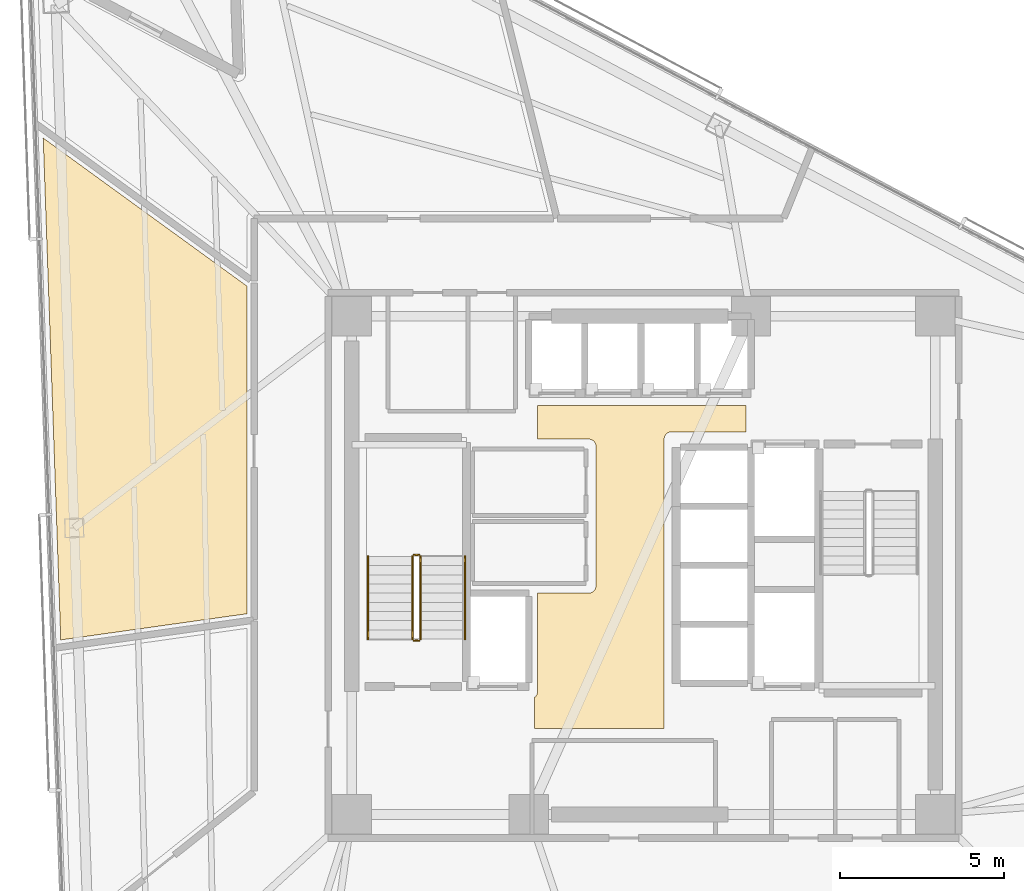
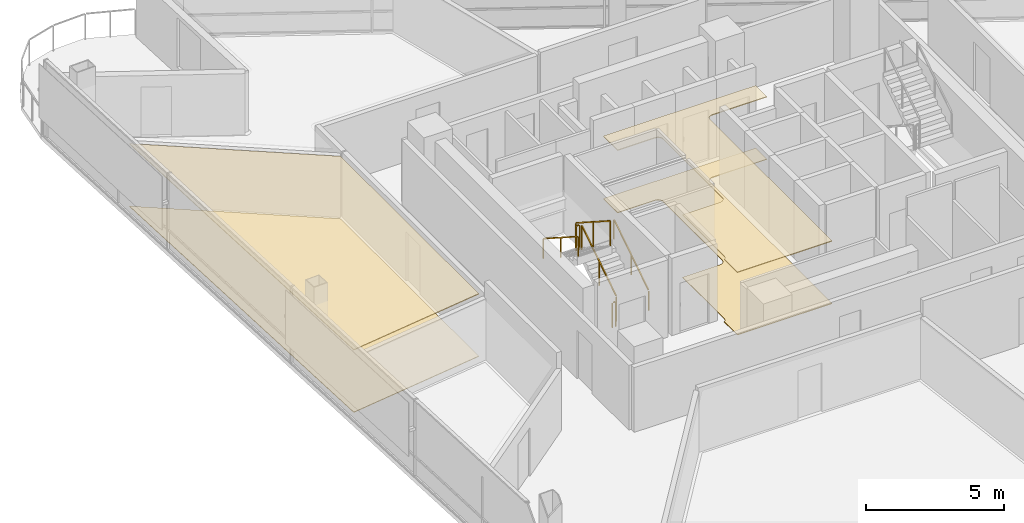
# One storey, part 18 of 20: 6 railings, 4 coverings.
"""IFC4 building model written with IfcOpenShell, lengths in metres."""

from ifc_helpers import new_model, si_unit, direction, frame, origin, origin_2d, place, context, subcontext, project, spatial, polyline, rectangle, outline, extrude, material, layer, layer_set, type_object, element, save


model = new_model("IFC4")

# Units and contexts
model_context = context("Model", 3, precision=1e-05, world=origin(), true_north=direction((0.0, 1.0)))
body_context = subcontext(model_context, "Body", "Model", "MODEL_VIEW")
ifc_project = project(units=[si_unit("LENGTHUNIT", "METRE"), si_unit("AREAUNIT", "SQUARE_METRE"), si_unit("VOLUMEUNIT", "CUBIC_METRE"), si_unit("PLANEANGLEUNIT", "RADIAN"), si_unit("MASSUNIT", "GRAM", prefix="KILO")], contexts=[model_context])

# Site, building, storey
site_placement = place(None, origin())
site = spatial("IfcSite", under=ifc_project, at=site_placement, CompositionType="ELEMENT")
building_placement = place(site_placement, origin())
building = spatial("IfcBuilding", under=site, at=building_placement, Name="Tharavind Bronze Gate", CompositionType="ELEMENT")
storey_placement = place(building_placement, frame((0.0, 0.0, 146.0)))
storey = spatial("IfcBuildingStorey", under=building, at=storey_placement, Name="L37", CompositionType="ELEMENT", Elevation=146.0)

# Coverings
ifc_material_1 = material(Name="Perforated Bronze Acoustic Panel", Category="bronze")
ifc_layer_1 = layer(ifc_material_1, 0.044921875)
ifc_layer_set_1 = layer_set([ifc_layer_1], Name="Perforated Bronze Acoustic Panel")
covering_type_1 = type_object("IfcCoveringType", Name="ACOUSTIC BRONZE BAFFLE CEILING", PredefinedType="CEILING", material=ifc_layer_set_1)
covering_1_placement = place(storey_placement, frame((0.0, 0.0, 2.75)))
element("IfcCovering", 1, at=covering_1_placement, inside=storey, type_object=covering_type_1, Name="L37-C-LL suspended ceiling", PredefinedType="CEILING", context=body_context, shape_type="SweptSolid", body=[
    extrude(outline(polyline([(-3.330078125, -4.97998046875), (0.6298828125, -4.97998046875), (0.6298828125, 3.85009765625), (0.631103515625, 3.87158203125), (0.63427734375, 3.892822265625), (0.639404296875, 3.913818359375), (0.646728515625, 3.93408203125), (0.656005859375, 3.95361328125), (0.6669921875, 3.97216796875), (0.679931640625, 3.989501953125), (0.6943359375, 4.005615234375), (0.71044921875, 4.02001953125), (0.727783203125, 4.032958984375), (0.746337890625, 4.0439453125), (0.765869140625, 4.05322265625), (0.7861328125, 4.060546875), (0.80712890625, 4.06591796875), (0.828369140625, 4.06884765625), (0.85009765625, 4.070068359375), (3.1298828125, 4.070068359375), (3.1298828125, 4.8798828125), (-3.22998046875, 4.8798828125), (-3.22998046875, 3.85009765625), (-1.669921875, 3.85009765625), (-1.6484375, 3.848876953125), (-1.627197265625, 3.845703125), (-1.606201171875, 3.840576171875), (-1.585693359375, 3.833251953125), (-1.56640625, 3.823974609375), (-1.5478515625, 3.81298828125), (-1.530517578125, 3.800048828125), (-1.514404296875, 3.78564453125), (-1.5, 3.76953125), (-1.487060546875, 3.752197265625), (-1.47607421875, 3.733642578125), (-1.466796875, 3.714111328125), (-1.45947265625, 3.69384765625), (-1.4541015625, 3.6728515625), (-1.451171875, 3.651611328125), (-1.449951171875, 3.6298828125), (-1.449951171875, 1.43994140625), (-1.450439453125, 1.429931640625), (-1.449951171875, 1.419921875), (-1.449951171875, -0.6298828125), (-1.451171875, -0.651611328125), (-1.4541015625, -0.6728515625), (-1.45947265625, -0.69384765625), (-1.466796875, -0.714111328125), (-1.47607421875, -0.733642578125), (-1.487060546875, -0.752197265625), (-1.5, -0.76953125), (-1.514404296875, -0.78564453125), (-1.530517578125, -0.800048828125), (-1.5478515625, -0.81298828125), (-1.56640625, -0.823974609375), (-1.585693359375, -0.833251953125), (-1.606201171875, -0.840576171875), (-1.627197265625, -0.845703125), (-1.6484375, -0.848876953125), (-1.669921875, -0.85009765625), (-3.22998046875, -0.85009765625), (-3.22998046875, -3.85009765625), (-3.231201171875, -3.87158203125), (-3.234130859375, -3.892822265625), (-3.239501953125, -3.913818359375), (-3.24658203125, -3.93408203125), (-3.256103515625, -3.95361328125), (-3.26708984375, -3.97216796875), (-3.27978515625, -3.989501953125), (-3.29443359375, -4.005615234375), (-3.310302734375, -4.02001953125), (-3.327880859375, -4.032958984375), (-3.330078125, -4.0341796875), (-3.330078125, -4.97998046875)])), origin(), (0.0, 0.0, 1.0), 0.034912109375),
])
ifc_material_2 = material(Name="Engineered Oak & Carpet Tile", Category="wood")
ifc_layer_2 = layer(ifc_material_2, 0.02490234375)
ifc_layer_set_2 = layer_set([ifc_layer_2], Name="Engineered Oak & Carpet Tile")
covering_type_2 = type_object("IfcCoveringType", Name="ENGINEERED TIMBER FLOORING", PredefinedType="FLOORING", material=ifc_layer_set_2)
covering_2_placement = place(storey_placement, origin())
element("IfcCovering", 2, at=covering_2_placement, inside=storey, type_object=covering_type_2, Name="L37-RM-03 floor finish", PredefinedType="FLOORING", context=body_context, shape_type="SweptSolid", body=[
    extrude(outline(polyline([(-17.77880859375, -2.276611328125), (-12.10009765625, -1.478515625), (-12.10009765625, 8.519287109375), (-18.3134765625, 13.03369140625), (-17.77880859375, -2.276611328125)])), origin(), (0.0, 0.0, 1.0), 0.02490234375),
])
ifc_material_3 = material(Name="Acoustic Gypsum Board", Category="gypsum")
ifc_layer_3 = layer(ifc_material_3, 0.030029296875)
ifc_layer_set_3 = layer_set([ifc_layer_3], Name="Acoustic Gypsum Board")
covering_type_3 = type_object("IfcCoveringType", Name="GYPSUM SUSPENDED CEILING", PredefinedType="CEILING", material=ifc_layer_set_3)
covering_3_placement = place(storey_placement, frame((0.0, 0.0, 2.75)))
element("IfcCovering", 3, at=covering_3_placement, inside=storey, type_object=covering_type_3, Name="L37-RM-03 suspended ceiling", PredefinedType="CEILING", context=body_context, shape_type="SweptSolid", body=[
    extrude(outline(polyline([(-17.77880859375, -2.276611328125), (-12.10009765625, -1.478515625), (-12.10009765625, 8.519287109375), (-18.3134765625, 13.03369140625), (-17.77880859375, -2.276611328125)])), origin(), (0.0, 0.0, 1.0), 0.034912109375),
])
ifc_material_4 = material(Name="Honed Travertine Limestone", Category="masonry")
ifc_layer_4 = layer(ifc_material_4, 0.030029296875)
ifc_layer_set_4 = layer_set([ifc_layer_4], Name="Honed Travertine Limestone")
covering_type_4 = type_object("IfcCoveringType", Name="HONED LIMESTONE FLOORING", PredefinedType="FLOORING", material=ifc_layer_set_4)
covering_4_placement = place(storey_placement, origin())
element("IfcCovering", 4, at=covering_4_placement, inside=storey, type_object=covering_type_4, Name="L37-C-LL floor finish", PredefinedType="FLOORING", context=body_context, shape_type="SweptSolid", body=[
    extrude(outline(polyline([(-3.330078125, -4.97998046875), (0.6298828125, -4.97998046875), (0.6298828125, 3.85009765625), (0.631103515625, 3.87158203125), (0.63427734375, 3.892822265625), (0.639404296875, 3.913818359375), (0.646728515625, 3.93408203125), (0.656005859375, 3.95361328125), (0.6669921875, 3.97216796875), (0.679931640625, 3.989501953125), (0.6943359375, 4.005615234375), (0.71044921875, 4.02001953125), (0.727783203125, 4.032958984375), (0.746337890625, 4.0439453125), (0.765869140625, 4.05322265625), (0.7861328125, 4.060546875), (0.80712890625, 4.06591796875), (0.828369140625, 4.06884765625), (0.85009765625, 4.070068359375), (3.1298828125, 4.070068359375), (3.1298828125, 4.8798828125), (-3.22998046875, 4.8798828125), (-3.22998046875, 3.85009765625), (-1.669921875, 3.85009765625), (-1.6484375, 3.848876953125), (-1.627197265625, 3.845703125), (-1.606201171875, 3.840576171875), (-1.585693359375, 3.833251953125), (-1.56640625, 3.823974609375), (-1.5478515625, 3.81298828125), (-1.530517578125, 3.800048828125), (-1.514404296875, 3.78564453125), (-1.5, 3.76953125), (-1.487060546875, 3.752197265625), (-1.47607421875, 3.733642578125), (-1.466796875, 3.714111328125), (-1.45947265625, 3.69384765625), (-1.4541015625, 3.6728515625), (-1.451171875, 3.651611328125), (-1.449951171875, 3.6298828125), (-1.449951171875, 1.43994140625), (-1.450439453125, 1.429931640625), (-1.449951171875, 1.419921875), (-1.449951171875, -0.6298828125), (-1.451171875, -0.651611328125), (-1.4541015625, -0.6728515625), (-1.45947265625, -0.69384765625), (-1.466796875, -0.714111328125), (-1.47607421875, -0.733642578125), (-1.487060546875, -0.752197265625), (-1.5, -0.76953125), (-1.514404296875, -0.78564453125), (-1.530517578125, -0.800048828125), (-1.5478515625, -0.81298828125), (-1.56640625, -0.823974609375), (-1.585693359375, -0.833251953125), (-1.606201171875, -0.840576171875), (-1.627197265625, -0.845703125), (-1.6484375, -0.848876953125), (-1.669921875, -0.85009765625), (-3.22998046875, -0.85009765625), (-3.22998046875, -3.85009765625), (-3.231201171875, -3.87158203125), (-3.234130859375, -3.892822265625), (-3.239501953125, -3.913818359375), (-3.24658203125, -3.93408203125), (-3.256103515625, -3.95361328125), (-3.26708984375, -3.97216796875), (-3.27978515625, -3.989501953125), (-3.29443359375, -4.005615234375), (-3.310302734375, -4.02001953125), (-3.327880859375, -4.032958984375), (-3.330078125, -4.0341796875), (-3.330078125, -4.97998046875)])), origin(), (0.0, 0.0, 1.0), 0.02490234375),
])

# Railings
ifc_material_5 = material(Name="Brushed Bronze Alloy", Category="metal")
railing_type_1 = type_object("IfcRailingType", Name="STAIR BRONZE HANDRAIL 900", PredefinedType="HANDRAIL", material=ifc_material_5)
railing_1_placement = place(storey_placement, frame((-5.449951171875, -2.25, 0.179931640625)))
element("IfcRailing", 5, at=railing_1_placement, inside=storey, type_object=railing_type_1, Name="L37 ST1 stair handrail 1", PredefinedType="HANDRAIL", context=body_context, shape_type="SweptSolid", body=[
    extrude(rectangle(XDim=0.048095703125, YDim=0.048095703125, at=origin_2d()), frame((0.0, 0.02685546875, 0.89306640625), z_axis=(0.0, 0.841162588446, 0.540782303519), x_axis=(-1.0, 0.0, 0.0)), (0.0, 0.0, 1.0), 2.931884765625),
    extrude(rectangle(XDim=0.0400390625, YDim=0.0400390625, at=origin_2d()), origin(), (0.0, 0.0, 1.0), 0.847900390625),
    extrude(rectangle(XDim=0.0400390625, YDim=0.0400390625, at=origin_2d()), frame((0.0, 1.260009765625, 0.81005859375)), (0.0, 0.0, 1.0), 0.847900390625),
    extrude(rectangle(XDim=0.0400390625, YDim=0.0400390625, at=origin_2d()), frame((0.0, 2.52001953125, 1.6201171875)), (0.0, 0.0, 1.0), 0.847900390625),
])
railing_2_placement = place(storey_placement, frame((-8.39990234375, 0.27001953125, 1.97998046875)))
element("IfcRailing", 6, at=railing_2_placement, inside=storey, type_object=railing_type_1, Name="L37 ST1 stair handrail 2", PredefinedType="HANDRAIL", context=body_context, shape_type="SweptSolid", body=[
    extrude(rectangle(XDim=0.048095703125, YDim=0.048095703125, at=origin_2d()), frame((0.0, -0.02685546875, 0.89306640625), z_axis=(0.0, -0.841162588446, 0.540782303519), x_axis=(1.0, 0.0, 0.0)), (0.0, 0.0, 1.0), 2.931884765625),
    extrude(rectangle(XDim=0.0400390625, YDim=0.0400390625, at=origin_2d()), origin(), (0.0, 0.0, 1.0), 0.847900390625),
    extrude(rectangle(XDim=0.0400390625, YDim=0.0400390625, at=origin_2d()), frame((0.0, -1.260009765625, 0.81005859375)), (0.0, 0.0, 1.0), 0.847900390625),
    extrude(rectangle(XDim=0.0400390625, YDim=0.0400390625, at=origin_2d()), frame((0.0, -2.52001953125, 1.6201171875)), (0.0, 0.0, 1.0), 0.847900390625),
])
railing_type_2 = type_object("IfcRailingType", Name="STAIR WELL GUARD RAILING 1120", PredefinedType="GUARDRAIL", material=ifc_material_5)
railing_3_placement = place(storey_placement, frame((-6.800048828125, -2.25, 0.179931640625)))
element("IfcRailing", 7, at=railing_3_placement, inside=storey, type_object=railing_type_2, Name="L37 ST1 stair guard 1", PredefinedType="GUARDRAIL", context=body_context, shape_type="SweptSolid", body=[
    extrude(rectangle(XDim=0.048095703125, YDim=0.048095703125, at=origin_2d()), frame((0.0, 0.02685546875, 1.11328125), z_axis=(0.0, 0.841162588446, 0.540782303519), x_axis=(-1.0, 0.0, 0.0)), (0.0, 0.0, 1.0), 2.931884765625),
    extrude(rectangle(XDim=0.0400390625, YDim=0.0400390625, at=origin_2d()), origin(), (0.0, 0.0, 1.0), 1.068115234375),
    extrude(rectangle(XDim=0.0400390625, YDim=0.0400390625, at=origin_2d()), frame((0.0, 1.260009765625, 0.81005859375)), (0.0, 0.0, 1.0), 1.068115234375),
    extrude(rectangle(XDim=0.0400390625, YDim=0.0400390625, at=origin_2d()), frame((0.0, 2.52001953125, 1.6201171875)), (0.0, 0.0, 1.0), 1.068115234375),
])
railing_4_placement = place(storey_placement, frame((-6.85009765625, 0.320068359375, 1.800048828125)))
element("IfcRailing", 8, at=railing_4_placement, inside=storey, type_object=railing_type_2, Name="L37 ST1 stair guard 2", PredefinedType="GUARDRAIL", context=body_context, shape_type="SweptSolid", body=[
    extrude(rectangle(XDim=0.048095703125, YDim=0.048095703125, at=origin_2d()), frame((-0.031982421875, 0.0, 1.09619140625), z_axis=(-1.0, 0.0, 0.0), x_axis=(0.0, -1.0, 0.0)), (0.0, 0.0, 1.0), 0.0859375),
    extrude(rectangle(XDim=0.0400390625, YDim=0.0400390625, at=origin_2d()), origin(), (0.0, 0.0, 1.0), 1.068115234375),
    extrude(rectangle(XDim=0.0400390625, YDim=0.0400390625, at=origin_2d()), frame((-0.14990234375, 0.0, 0.0)), (0.0, 0.0, 1.0), 1.068115234375),
])
railing_5_placement = place(storey_placement, frame((-7.050048828125, 0.27001953125, 1.97998046875)))
element("IfcRailing", 9, at=railing_5_placement, inside=storey, type_object=railing_type_2, Name="L37 ST1 stair guard 3", PredefinedType="GUARDRAIL", context=body_context, shape_type="SweptSolid", body=[
    extrude(rectangle(XDim=0.048095703125, YDim=0.048095703125, at=origin_2d()), frame((0.0, -0.02685546875, 1.11328125), z_axis=(0.0, -0.841162588446, 0.540782303519), x_axis=(1.0, 0.0, 0.0)), (0.0, 0.0, 1.0), 2.931884765625),
    extrude(rectangle(XDim=0.0400390625, YDim=0.0400390625, at=origin_2d()), origin(), (0.0, 0.0, 1.0), 1.068115234375),
    extrude(rectangle(XDim=0.0400390625, YDim=0.0400390625, at=origin_2d()), frame((0.0, -1.260009765625, 0.81005859375)), (0.0, 0.0, 1.0), 1.068115234375),
    extrude(rectangle(XDim=0.0400390625, YDim=0.0400390625, at=origin_2d()), frame((0.0, -2.52001953125, 1.6201171875)), (0.0, 0.0, 1.0), 1.068115234375),
])
railing_6_placement = place(storey_placement, frame((-6.85009765625, -2.300048828125, 0.0)))
element("IfcRailing", 10, at=railing_6_placement, inside=storey, type_object=railing_type_2, Name="L37 ST1 stair guard 4", PredefinedType="GUARDRAIL", context=body_context, shape_type="SweptSolid", body=[
    extrude(rectangle(XDim=0.048095703125, YDim=0.048095703125, at=origin_2d()), frame((-0.031982421875, 0.0, 1.09619140625), z_axis=(-1.0, 0.0, 0.0), x_axis=(0.0, -1.0, 0.0)), (0.0, 0.0, 1.0), 0.0859375),
    extrude(rectangle(XDim=0.0400390625, YDim=0.0400390625, at=origin_2d()), origin(), (0.0, 0.0, 1.0), 1.068115234375),
    extrude(rectangle(XDim=0.0400390625, YDim=0.0400390625, at=origin_2d()), frame((-0.14990234375, 0.0, 0.0)), (0.0, 0.0, 1.0), 1.068115234375),
])

save(model, "model.ifc")
